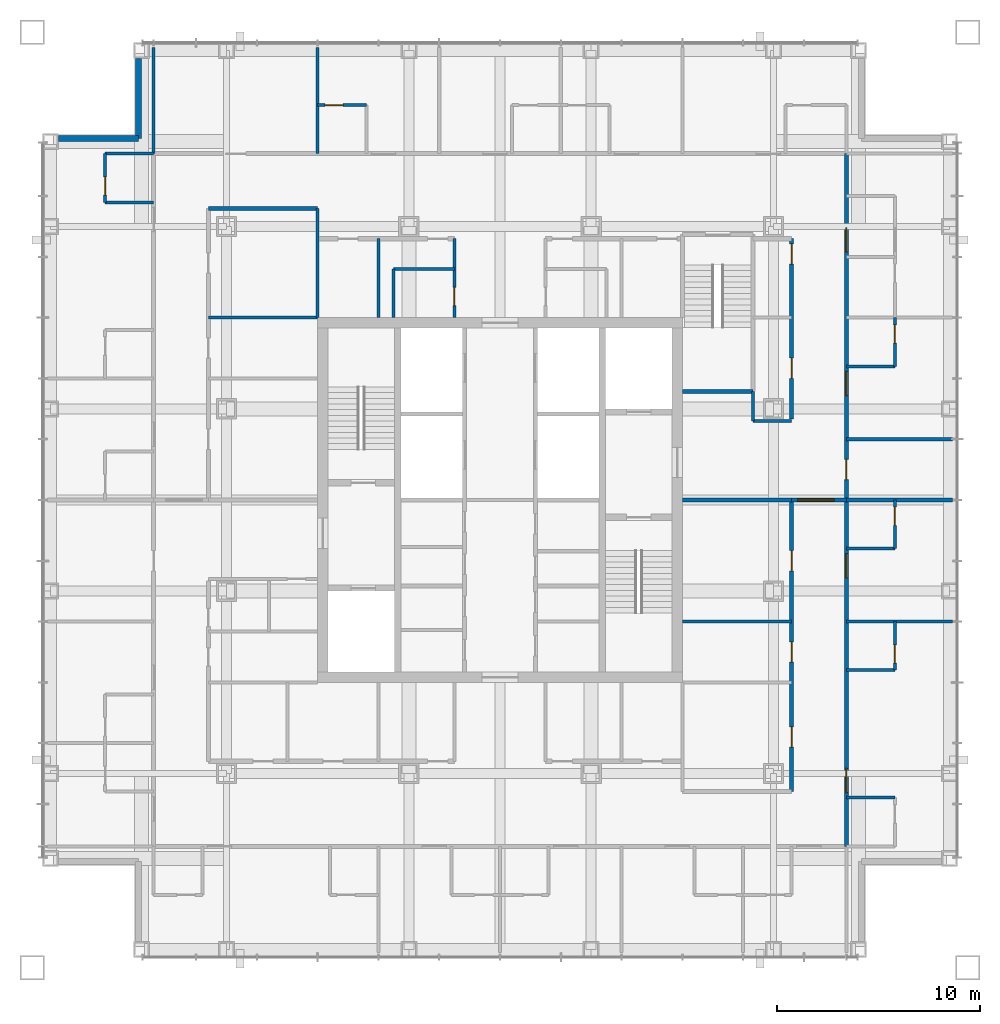
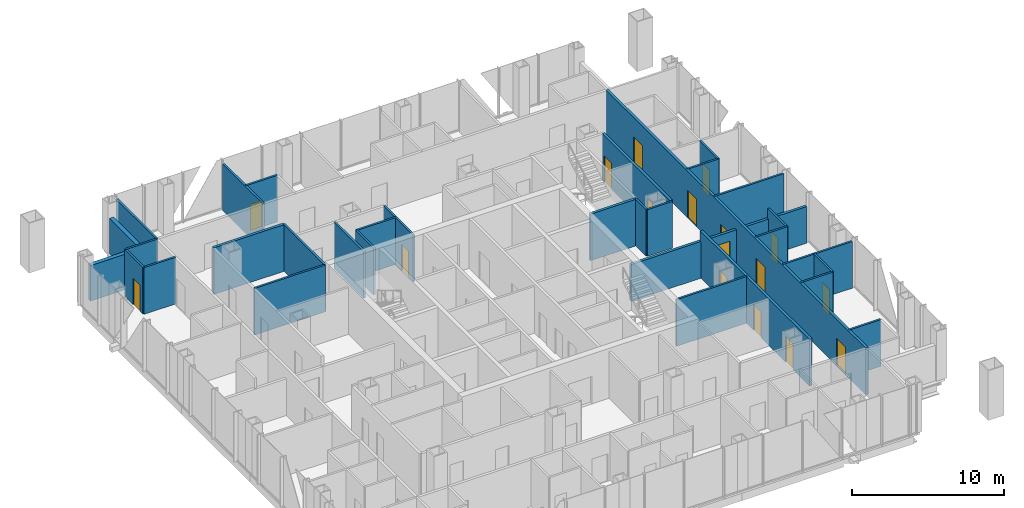
# One storey, part 15 of 18: 34 walls, 17 doors, 17 openings.
"""IFC4 building model written with IfcOpenShell, lengths in metres."""

import ifcopenshell
import ifcopenshell.guid

model = None  # the IFC model being written
_history = None  # IfcOwnerHistory: only IFC2X3 demands one
_inside = {}  # id of a spatial element -> (the spatial element, [elements in it])
_under = {}  # id of a project, library or spatial element -> (it, [spatial elements below it])
_declared = {}  # id of a project -> (the project, [libraries it declares])
_typed = {}  # id of a type object -> (the type object, [elements of that type])
_made_of = {}  # id of a material, layer set ... -> (it, [elements and type objects made of it])


def new_model(schema):
    """Start an empty IFC model of exactly this schema.

    Asked for "IFC4X3", IfcOpenShell would pick the latest addendum, in which some entities
    have other attributes; the version numbers below select the first issue.
    IFC2X3 requires an IfcOwnerHistory on every rooted entity: one is made here for all.
    """
    global model, _history
    if schema == "IFC4X3":
        model = ifcopenshell.file(schema_version=(4, 3, 0, 0))
    else:
        model = ifcopenshell.file(schema=schema)
    _inside.clear()
    _under.clear()
    _declared.clear()
    _typed.clear()
    _made_of.clear()
    _history = None
    if model.schema == "IFC2X3":
        org = make("IfcOrganization", Name="unknown")
        user = make(
            "IfcPersonAndOrganization",
            ThePerson=make("IfcPerson", FamilyName="unknown"),
            TheOrganization=org,
        )
        app = make(
            "IfcApplication",
            ApplicationDeveloper=org,
            Version="unknown",
            ApplicationFullName="unknown",
            ApplicationIdentifier="unknown",
        )
        _history = make(
            "IfcOwnerHistory",
            OwningUser=user,
            OwningApplication=app,
            ChangeAction="ADDED",
            CreationDate=0,
        )
    return model


def make(cls, **values):
    """One entity of the class cls with the attributes given. An attribute that is None is left unset."""
    return model.create_entity(
        cls, **{name: value for name, value in values.items() if value is not None}
    )


def rooted(cls, **values):
    """An entity with a GlobalId (a new one), such as an element, a storey or a relation."""
    return make(cls, GlobalId=ifcopenshell.guid.new(), OwnerHistory=_history, **values)


def si_unit(unit_type, name, prefix=None):
    """IfcSIUnit, for example si_unit("LENGTHUNIT", "METRE", prefix="MILLI")."""
    return make("IfcSIUnit", UnitType=unit_type, Prefix=prefix, Name=name)


def assignment(units):
    """IfcUnitAssignment: the units of a project."""
    return None if units is None else make("IfcUnitAssignment", Units=units)


def point(xyz):
    """IfcCartesianPoint."""
    return None if xyz is None else make("IfcCartesianPoint", Coordinates=xyz)


def direction(xyz):
    """IfcDirection."""
    return None if xyz is None else make("IfcDirection", DirectionRatios=xyz)


def frame(location, z_axis=None, x_axis=None):
    """IfcAxis2Placement3D, a coordinate frame: its origin and axes. An axis left out is left unset."""
    return make(
        "IfcAxis2Placement3D",
        Location=point(location),
        Axis=direction(z_axis),
        RefDirection=direction(x_axis),
    )


def frame_2d(location, x_axis=None):
    """IfcAxis2Placement2D, a coordinate frame in the plane: its origin and x axis."""
    return make(
        "IfcAxis2Placement2D", Location=point(location), RefDirection=direction(x_axis)
    )


def origin():
    """The frame at (0, 0, 0) with its axes left unset."""
    return frame((0.0, 0.0, 0.0))


def place(relative_to, where):
    """IfcLocalPlacement: puts the frame where relative to a parent placement (None: the world)."""
    return make(
        "IfcLocalPlacement", PlacementRelTo=relative_to, RelativePlacement=where
    )


def context(
    kind, dimensions, precision=None, world=None, true_north=None, identifier=None
):
    """IfcGeometricRepresentationContext, for example the 3D "Model" context."""
    return make(
        "IfcGeometricRepresentationContext",
        ContextIdentifier=identifier,
        ContextType=kind,
        CoordinateSpaceDimension=dimensions,
        Precision=precision,
        WorldCoordinateSystem=world,
        TrueNorth=true_north,
    )


def subcontext(parent, identifier, kind, view, scale=None):
    """IfcGeometricRepresentationSubContext, for example "Body" below "Model"."""
    return make(
        "IfcGeometricRepresentationSubContext",
        ContextIdentifier=identifier,
        ContextType=kind,
        ParentContext=parent,
        TargetScale=scale,
        TargetView=view,
    )


def project(units=None, contexts=None):
    """IfcProject with its units and contexts."""
    return rooted(
        "IfcProject",
        Name="project",
        RepresentationContexts=contexts,
        UnitsInContext=assignment(units),
    )


def spatial(cls, under=None, at=None, **own):
    """A site, building, storey or space (cls), placed at a placement, below another one or the project."""
    s = rooted(cls, ObjectPlacement=at, **own)
    if under is not None:
        _under.setdefault(under.id(), (under, []))[1].append(s)
    return s


def profile(cls, at=None, kind="AREA", **sizes):
    """A parametric profile (cls). Its sizes go by their IFC names, for example OverallWidth=200.0."""
    return make(cls, ProfileType=kind, Position=at, **sizes)


def rectangle(**sizes):
    """IfcRectangleProfileDef."""
    return profile("IfcRectangleProfileDef", **sizes)


def extrude(swept, where, along, depth):
    """IfcExtrudedAreaSolid: the profile swept, set in the frame where, extruded along a direction by depth."""
    return make(
        "IfcExtrudedAreaSolid",
        SweptArea=swept,
        Position=where,
        ExtrudedDirection=direction(along),
        Depth=depth,
    )


def shape(context_of_items, identifier, shape_type, items):
    """IfcShapeRepresentation: the items that make up one representation, for example the "Body"."""
    return make(
        "IfcShapeRepresentation",
        ContextOfItems=context_of_items,
        RepresentationIdentifier=identifier,
        RepresentationType=shape_type,
        Items=items,
    )


def material(Name=None, Category=None):
    """IfcMaterial."""
    return make("IfcMaterial", Name=Name, Category=Category)


def layer(
    of_material, thickness, ventilated=None, Name=None, Category=None, Priority=None
):
    """IfcMaterialLayer: one layer of a wall or slab, of a material (None: an air gap)."""
    return make(
        "IfcMaterialLayer",
        Material=of_material,
        LayerThickness=thickness,
        IsVentilated=ventilated,
        Name=Name,
        Category=Category,
        Priority=Priority,
    )


def layer_set(layers, Name=None):
    """IfcMaterialLayerSet."""
    return make("IfcMaterialLayerSet", MaterialLayers=layers, LayerSetName=Name)


def made_of(thing, what):
    """Note that an element or type object is made of a material, layer set ...; save() writes the relation."""
    if what is not None:
        _made_of.setdefault(what.id(), (what, []))[1].append(thing)
    return thing


def type_object(cls, material=None, **own):
    """A type object (cls), such as IfcWallType, which elements share."""
    return made_of(rooted(cls, **own), material)


def element(
    cls,
    number,
    at=None,
    inside=None,
    cuts=None,
    type_object=None,
    material=None,
    context=None,
    identifier="Body",
    shape_type=None,
    held_by="IfcProductDefinitionShape",
    body=None,
    shapes=None,
    **own,
):
    """One element of the class cls, such as IfcWall. Its Tag is "e" and its number.

    at: its placement. inside: the storey or other place that contains it. cuts: it is an
    opening in that element (IfcRelVoidsElement). A single representation is given by context,
    identifier, shape_type and body (its items); several are given by shapes. held_by: the class
    of the entity that holds the representations. save() writes the other relations.
    """
    e = rooted(cls, Tag="e%d" % number, ObjectPlacement=at, **own)
    if body is not None:
        shapes = [shape(context, identifier, shape_type, body)]
    if shapes is not None:
        e.Representation = make(held_by, Representations=shapes)
    if inside is not None:
        _inside.setdefault(inside.id(), (inside, []))[1].append(e)
    if cuts is not None:
        rooted(
            "IfcRelVoidsElement", RelatingBuildingElement=cuts, RelatedOpeningElement=e
        )
    if type_object is not None:
        _typed.setdefault(type_object.id(), (type_object, []))[1].append(e)
    return made_of(e, material)


def fill(opening, filler):
    """IfcRelFillsElement: the door or window that sits in an opening."""
    return rooted(
        "IfcRelFillsElement",
        RelatingOpeningElement=opening,
        RelatedBuildingElement=filler,
    )


def aggregate(whole, parts):
    """IfcRelAggregates: a whole, such as a stair, and the parts it consists of."""
    return rooted("IfcRelAggregates", RelatingObject=whole, RelatedObjects=parts)


def save(model, path):
    """Write the relations noted so far, then the file.

    IfcRelAggregates (storeys below a building ...), IfcRelContainedInSpatialStructure (elements
    in a storey), IfcRelDefinesByType, IfcRelAssociatesMaterial and IfcRelDeclares: one each for
    every whole, place, type object, material and project.
    """
    for whole, parts in _under.values():
        aggregate(whole, parts)
    for where, things in _inside.values():
        rooted(
            "IfcRelContainedInSpatialStructure",
            RelatedElements=things,
            RelatingStructure=where,
        )
    for kind, things in _typed.values():
        rooted("IfcRelDefinesByType", RelatedObjects=things, RelatingType=kind)
    for what, things in _made_of.values():
        rooted("IfcRelAssociatesMaterial", RelatedObjects=things, RelatingMaterial=what)
    for by, libraries in _declared.values():
        rooted("IfcRelDeclares", RelatingContext=by, RelatedDefinitions=libraries)
    model.write(path)


model = new_model("IFC4")

# Units and contexts
model_context = context("Model", 3, precision=1e-05, world=origin(), true_north=direction((0.0, 1.0)))
body_context = subcontext(model_context, "Body", "Model", "MODEL_VIEW")
ifc_project = project(units=[si_unit("LENGTHUNIT", "METRE"), si_unit("AREAUNIT", "SQUARE_METRE"), si_unit("VOLUMEUNIT", "CUBIC_METRE"), si_unit("PLANEANGLEUNIT", "RADIAN"), si_unit("MASSUNIT", "GRAM", prefix="KILO")], contexts=[model_context])

# Site, building, storey
site_placement = place(None, origin())
site = spatial("IfcSite", under=ifc_project, at=site_placement, CompositionType="ELEMENT")
building_placement = place(site_placement, origin())
building = spatial("IfcBuilding", under=site, at=building_placement, Name="Malebo Sky Hospital", CompositionType="ELEMENT")
storey_placement = place(building_placement, frame((0.0, 0.0, 225.0)))
storey = spatial("IfcBuildingStorey", under=building, at=storey_placement, Name="L54", CompositionType="ELEMENT", Elevation=225.0)

# Wall
ifc_material_1 = material(Name="Gypsum board on steel studs", Category="steel")
ifc_layer_1 = layer(ifc_material_1, 0.199951171875)
ifc_layer_set_1 = layer_set([ifc_layer_1], Name="CORRIDOR WALL 200")
wall_type_1 = type_object("IfcWallType", Name="CORRIDOR WALL 200", PredefinedType="PARTITIONING", material=ifc_layer_set_1)
wall_1_placement = place(storey_placement, frame((45.60009765625, 76.39990234375, 0.0), z_axis=(0.0, 0.0, 1.0), x_axis=(1.0, 0.0, 0.0)))
element("IfcWall", 1, at=wall_1_placement, inside=storey, type_object=wall_type_1, Name="Corridor Wall 200 NCIK", PredefinedType="PARTITIONING", context=body_context, shape_type="SweptSolid", body=[
    extrude(rectangle(XDim=5.39990234375, YDim=0.199951171875, at=frame_2d((2.699951171875, 0.0))), origin(), (0.0, 0.0, 1.0), 3.75),
])

# Wall, openings, doors
wall_2_placement = place(storey_placement, frame((77.10009765625, 79.10009765625, 0.0), z_axis=(0.0, 0.0, 1.0), x_axis=(0.0, -1.0, 0.0)))
wall_2 = element("IfcWall", 2, at=wall_2_placement, inside=storey, type_object=wall_type_1, Name="Corridor Wall 200 ECO", PredefinedType="PARTITIONING", context=body_context, shape_type="SweptSolid", body=[
    extrude(rectangle(XDim=34.2001953125, YDim=0.199951171875, at=frame_2d((17.10009765625, 0.0))), origin(), (0.0, 0.0, 1.0), 3.75),
])
opening_1_placement = place(wall_2_placement, frame((3.64990234375, 0.0, 0.0)))
opening_1 = element("IfcOpeningElement", 3, at=opening_1_placement, cuts=wall_2, Name="Opening D18", PredefinedType="OPENING", context=body_context, shape_type="SweptSolid", body=[
    extrude(rectangle(XDim=1.199951171875, YDim=2.199951171875, at=frame_2d((0.60009765625, 1.10009765625))), frame((0.0, 0.10986328125, 0.0), z_axis=(0.0, -1.0, 0.0), x_axis=(1.0, 0.0, 0.0)), (0.0, 0.0, 1.0), 0.219970703125),
])
opening_2_placement = place(wall_2_placement, frame((10.75, 0.0, 0.0)))
opening_2 = element("IfcOpeningElement", 4, at=opening_2_placement, cuts=wall_2, Name="Opening D01", PredefinedType="OPENING", context=body_context, shape_type="SweptSolid", body=[
    extrude(rectangle(XDim=1.199951171875, YDim=2.199951171875, at=frame_2d((0.60009765625, 1.10009765625))), frame((0.0, 0.10986328125, 0.0), z_axis=(0.0, -1.0, 0.0), x_axis=(1.0, 0.0, 0.0)), (0.0, 0.0, 1.0), 0.219970703125),
])
opening_3_placement = place(wall_2_placement, frame((15.10009765625, 0.0, 0.0)))
opening_3 = element("IfcOpeningElement", 5, at=opening_3_placement, cuts=wall_2, Name="Opening D03", PredefinedType="OPENING", context=body_context, shape_type="SweptSolid", body=[
    extrude(rectangle(XDim=1.0, YDim=2.10009765625, at=frame_2d((0.5, 1.050048828125))), frame((0.0, 0.10986328125, 0.0), z_axis=(0.0, -1.0, 0.0), x_axis=(1.0, 0.0, 0.0)), (0.0, 0.0, 1.0), 0.219970703125),
])
opening_4_placement = place(wall_2_placement, frame((19.75, 0.0, 0.0)))
opening_4 = element("IfcOpeningElement", 6, at=opening_4_placement, cuts=wall_2, Name="Opening D01", PredefinedType="OPENING", context=body_context, shape_type="SweptSolid", body=[
    extrude(rectangle(XDim=1.199951171875, YDim=2.199951171875, at=frame_2d((0.60009765625, 1.10009765625))), frame((0.0, 0.10986328125, 0.0), z_axis=(0.0, -1.0, 0.0), x_axis=(1.0, 0.0, 0.0)), (0.0, 0.0, 1.0), 0.219970703125),
])
opening_5_placement = place(wall_2_placement, frame((30.35009765625, 0.0, 0.0)))
opening_5 = element("IfcOpeningElement", 7, at=opening_5_placement, cuts=wall_2, Name="Opening D01", PredefinedType="OPENING", context=body_context, shape_type="SweptSolid", body=[
    extrude(rectangle(XDim=1.199951171875, YDim=2.199951171875, at=frame_2d((0.60009765625, 1.10009765625))), frame((0.0, 0.10986328125, 0.0), z_axis=(0.0, -1.0, 0.0), x_axis=(1.0, 0.0, 0.0)), (0.0, 0.0, 1.0), 0.219970703125),
])
ifc_material_2 = material(Name="Hardwood-faced door leaf in steel frame", Category="steel")
door_type_1 = type_object("IfcDoorType", Name="ANTEROOM DOOR 1200", OperationType="SINGLE_SWING_LEFT", PredefinedType="DOOR", material=ifc_material_2)
door_1_placement = place(opening_1_placement, origin())
door_1 = element("IfcDoor", 8, at=door_1_placement, inside=storey, type_object=door_type_1, Name="Anteroom door", OperationType="SINGLE_SWING_RIGHT", OverallHeight=2.199951171875, OverallWidth=1.199951171875, PredefinedType="DOOR", context=body_context, shape_type="SweptSolid", body=[
    extrude(rectangle(XDim=1.199951171875, YDim=2.199951171875, at=frame_2d((0.60009765625, 1.10009765625))), frame((0.0, 0.02490234375, 0.0), z_axis=(0.0, -1.0, 0.0), x_axis=(1.0, 0.0, 0.0)), (0.0, 0.0, 1.0), 0.050048828125),
])
fill(opening_1, door_1)
door_type_2 = type_object("IfcDoorType", Name="BED DOOR 1200", OperationType="SINGLE_SWING_LEFT", PredefinedType="DOOR", material=ifc_material_2)
door_2_placement = place(opening_2_placement, origin())
door_2 = element("IfcDoor", 9, at=door_2_placement, inside=storey, type_object=door_type_2, Name="Single bed room door", OperationType="SINGLE_SWING_LEFT", OverallHeight=2.199951171875, OverallWidth=1.199951171875, PredefinedType="DOOR", context=body_context, shape_type="SweptSolid", body=[
    extrude(rectangle(XDim=1.199951171875, YDim=2.199951171875, at=frame_2d((0.60009765625, 1.10009765625))), frame((0.0, 0.02490234375, 0.0), z_axis=(0.0, -1.0, 0.0), x_axis=(1.0, 0.0, 0.0)), (0.0, 0.0, 1.0), 0.050048828125),
])
fill(opening_2, door_2)
door_3_placement = place(opening_4_placement, origin())
door_3 = element("IfcDoor", 10, at=door_3_placement, inside=storey, type_object=door_type_2, Name="Parent room door", OperationType="SINGLE_SWING_LEFT", OverallHeight=2.199951171875, OverallWidth=1.199951171875, PredefinedType="DOOR", context=body_context, shape_type="SweptSolid", body=[
    extrude(rectangle(XDim=1.199951171875, YDim=2.199951171875, at=frame_2d((0.60009765625, 1.10009765625))), frame((0.0, 0.02490234375, 0.0), z_axis=(0.0, -1.0, 0.0), x_axis=(1.0, 0.0, 0.0)), (0.0, 0.0, 1.0), 0.050048828125),
])
fill(opening_4, door_3)
door_4_placement = place(opening_5_placement, origin())
door_4 = element("IfcDoor", 11, at=door_4_placement, inside=storey, type_object=door_type_2, Name="Four-bed bay door", OperationType="SINGLE_SWING_RIGHT", OverallHeight=2.199951171875, OverallWidth=1.199951171875, PredefinedType="DOOR", context=body_context, shape_type="SweptSolid", body=[
    extrude(rectangle(XDim=1.199951171875, YDim=2.199951171875, at=frame_2d((0.60009765625, 1.10009765625))), frame((0.0, 0.02490234375, 0.0), z_axis=(0.0, -1.0, 0.0), x_axis=(1.0, 0.0, 0.0)), (0.0, 0.0, 1.0), 0.050048828125),
])
fill(opening_5, door_4)
door_type_3 = type_object("IfcDoorType", Name="ROOM DOOR 1000", OperationType="SINGLE_SWING_LEFT", PredefinedType="DOOR", material=ifc_material_2)
door_5_placement = place(opening_3_placement, origin())
door_5 = element("IfcDoor", 12, at=door_5_placement, inside=storey, type_object=door_type_3, Name="Quiet room door", OperationType="SINGLE_SWING_RIGHT", OverallHeight=2.10009765625, OverallWidth=1.0, PredefinedType="DOOR", context=body_context, shape_type="SweptSolid", body=[
    extrude(rectangle(XDim=1.0, YDim=2.10009765625, at=frame_2d((0.5, 1.050048828125))), frame((0.0, 0.02490234375, 0.0), z_axis=(0.0, -1.0, 0.0), x_axis=(1.0, 0.0, 0.0)), (0.0, 0.0, 1.0), 0.050048828125),
])
fill(opening_3, door_5)

wall_3_placement = place(storey_placement, frame((74.39990234375, 74.89990234375, 0.0), z_axis=(0.0, 0.0, 1.0), x_axis=(0.0, -1.0, 0.0)))
wall_3 = element("IfcWall", 13, at=wall_3_placement, inside=storey, type_object=wall_type_1, Name="Corridor Wall 200 ECI1", PredefinedType="PARTITIONING", context=body_context, shape_type="SweptSolid", body=[
    extrude(rectangle(XDim=8.89990234375, YDim=0.199951171875, at=frame_2d((4.449951171875, 0.0))), origin(), (0.0, 0.0, 1.0), 3.75),
])
opening_6_placement = place(wall_3_placement, frame((0.25, 0.0, 0.0)))
opening_6 = element("IfcOpeningElement", 14, at=opening_6_placement, cuts=wall_3, Name="Opening D03", PredefinedType="OPENING", context=body_context, shape_type="SweptSolid", body=[
    extrude(rectangle(XDim=1.0, YDim=2.10009765625, at=frame_2d((0.5, 1.050048828125))), frame((0.0, 0.10986328125, 0.0), z_axis=(0.0, -1.0, 0.0), x_axis=(1.0, 0.0, 0.0)), (0.0, 0.0, 1.0), 0.219970703125),
])
opening_7_placement = place(wall_3_placement, frame((5.89990234375, 0.0, 0.0)))
opening_7 = element("IfcOpeningElement", 15, at=opening_7_placement, cuts=wall_3, Name="Opening D03", PredefinedType="OPENING", context=body_context, shape_type="SweptSolid", body=[
    extrude(rectangle(XDim=1.0, YDim=2.10009765625, at=frame_2d((0.5, 1.050048828125))), frame((0.0, 0.10986328125, 0.0), z_axis=(0.0, -1.0, 0.0), x_axis=(1.0, 0.0, 0.0)), (0.0, 0.0, 1.0), 0.219970703125),
])
door_6_placement = place(opening_6_placement, origin())
door_6 = element("IfcDoor", 16, at=door_6_placement, inside=storey, type_object=door_type_3, Name="Ward pantry door", OperationType="SINGLE_SWING_LEFT", OverallHeight=2.10009765625, OverallWidth=1.0, PredefinedType="DOOR", context=body_context, shape_type="SweptSolid", body=[
    extrude(rectangle(XDim=1.0, YDim=2.10009765625, at=frame_2d((0.5, 1.050048828125))), frame((0.0, 0.02490234375, 0.0), z_axis=(0.0, -1.0, 0.0), x_axis=(1.0, 0.0, 0.0)), (0.0, 0.0, 1.0), 0.050048828125),
])
fill(opening_6, door_6)
door_7_placement = place(opening_7_placement, origin())
door_7 = element("IfcDoor", 17, at=door_7_placement, inside=storey, type_object=door_type_3, Name="Consulting room door", OperationType="SINGLE_SWING_LEFT", OverallHeight=2.10009765625, OverallWidth=1.0, PredefinedType="DOOR", context=body_context, shape_type="SweptSolid", body=[
    extrude(rectangle(XDim=1.0, YDim=2.10009765625, at=frame_2d((0.5, 1.050048828125))), frame((0.0, 0.02490234375, 0.0), z_axis=(0.0, -1.0, 0.0), x_axis=(1.0, 0.0, 0.0)), (0.0, 0.0, 1.0), 0.050048828125),
])
fill(opening_7, door_7)

wall_4_placement = place(storey_placement, frame((74.39990234375, 62.0, 0.0), z_axis=(0.0, 0.0, 1.0), x_axis=(0.0, -1.0, 0.0)))
wall_4 = element("IfcWall", 18, at=wall_4_placement, inside=storey, type_object=wall_type_1, Name="Corridor Wall 200 ECI2", PredefinedType="PARTITIONING", context=body_context, shape_type="SweptSolid", body=[
    extrude(rectangle(XDim=14.39990234375, YDim=0.199951171875, at=frame_2d((7.199951171875, 0.0))), origin(), (0.0, 0.0, 1.0), 3.75),
])
opening_8_placement = place(wall_4_placement, frame((2.5, 0.0, 0.0)))
opening_8 = element("IfcOpeningElement", 19, at=opening_8_placement, cuts=wall_4, Name="Opening D03", PredefinedType="OPENING", context=body_context, shape_type="SweptSolid", body=[
    extrude(rectangle(XDim=1.0, YDim=2.10009765625, at=frame_2d((0.5, 1.050048828125))), frame((0.0, 0.10986328125, 0.0), z_axis=(0.0, -1.0, 0.0), x_axis=(1.0, 0.0, 0.0)), (0.0, 0.0, 1.0), 0.219970703125),
])
opening_9_placement = place(wall_4_placement, frame((7.0, 0.0, 0.0)))
opening_9 = element("IfcOpeningElement", 20, at=opening_9_placement, cuts=wall_4, Name="Opening D03", PredefinedType="OPENING", context=body_context, shape_type="SweptSolid", body=[
    extrude(rectangle(XDim=1.0, YDim=2.10009765625, at=frame_2d((0.5, 1.050048828125))), frame((0.0, 0.10986328125, 0.0), z_axis=(0.0, -1.0, 0.0), x_axis=(1.0, 0.0, 0.0)), (0.0, 0.0, 1.0), 0.219970703125),
])
opening_10_placement = place(wall_4_placement, frame((11.199951171875, 0.0, 0.0)))
opening_10 = element("IfcOpeningElement", 21, at=opening_10_placement, cuts=wall_4, Name="Opening D03", PredefinedType="OPENING", context=body_context, shape_type="SweptSolid", body=[
    extrude(rectangle(XDim=1.0, YDim=2.10009765625, at=frame_2d((0.5, 1.050048828125))), frame((0.0, 0.10986328125, 0.0), z_axis=(0.0, -1.0, 0.0), x_axis=(1.0, 0.0, 0.0)), (0.0, 0.0, 1.0), 0.219970703125),
])
door_8_placement = place(opening_8_placement, origin())
door_8 = element("IfcDoor", 22, at=door_8_placement, inside=storey, type_object=door_type_3, Name="Staff rest room door", OperationType="SINGLE_SWING_LEFT", OverallHeight=2.10009765625, OverallWidth=1.0, PredefinedType="DOOR", context=body_context, shape_type="SweptSolid", body=[
    extrude(rectangle(XDim=1.0, YDim=2.10009765625, at=frame_2d((0.5, 1.050048828125))), frame((0.0, 0.02490234375, 0.0), z_axis=(0.0, -1.0, 0.0), x_axis=(1.0, 0.0, 0.0)), (0.0, 0.0, 1.0), 0.050048828125),
])
fill(opening_8, door_8)
door_9_placement = place(opening_9_placement, origin())
door_9 = element("IfcDoor", 23, at=door_9_placement, inside=storey, type_object=door_type_3, Name="Dirty utility room door", OperationType="SINGLE_SWING_LEFT", OverallHeight=2.10009765625, OverallWidth=1.0, PredefinedType="DOOR", context=body_context, shape_type="SweptSolid", body=[
    extrude(rectangle(XDim=1.0, YDim=2.10009765625, at=frame_2d((0.5, 1.050048828125))), frame((0.0, 0.02490234375, 0.0), z_axis=(0.0, -1.0, 0.0), x_axis=(1.0, 0.0, 0.0)), (0.0, 0.0, 1.0), 0.050048828125),
])
fill(opening_9, door_9)
door_10_placement = place(opening_10_placement, origin())
door_10 = element("IfcDoor", 24, at=door_10_placement, inside=storey, type_object=door_type_3, Name="Surgical examination room door", OperationType="SINGLE_SWING_RIGHT", OverallHeight=2.10009765625, OverallWidth=1.0, PredefinedType="DOOR", context=body_context, shape_type="SweptSolid", body=[
    extrude(rectangle(XDim=1.0, YDim=2.10009765625, at=frame_2d((0.5, 1.050048828125))), frame((0.0, 0.02490234375, 0.0), z_axis=(0.0, -1.0, 0.0), x_axis=(1.0, 0.0, 0.0)), (0.0, 0.0, 1.0), 0.050048828125),
])
fill(opening_10, door_10)

# Walls
ifc_material_3 = material(Name="Anodised aluminium rainscreen on steel framing", Category="steel")
ifc_layer_2 = layer(ifc_material_3, 0.300048828125)
ifc_layer_set_2 = layer_set([ifc_layer_2], Name="NOTCH RAINSCREEN WALL 300")
wall_type_2 = type_object("IfcWallType", Name="NOTCH RAINSCREEN WALL 300", PredefinedType="ELEMENTEDWALL", material=ifc_layer_set_2)
for number, where, z_axis, x_axis, name in (
    (25, (38.199951171875, 79.85009765625, 0.0), (0.0, 0.0, 1.0), (1.0, 0.0, 0.0), "Notch rainscreen wall W1 L54"),
    (26, (42.14990234375, 79.85009765625, 0.0), (0.0, 0.0, 1.0), (0.0, 1.0, 0.0), "Notch rainscreen wall W2 L54"),
):
    element("IfcWall", number, at=place(storey_placement, frame(where, z_axis=z_axis, x_axis=x_axis)), inside=storey, type_object=wall_type_2, Name=name, PredefinedType="ELEMENTEDWALL", context=body_context, shape_type="SweptSolid", body=[
        extrude(rectangle(XDim=3.949951171875, YDim=0.300048828125, at=frame_2d((1.97509765625, 0.0))), origin(), (0.0, 0.0, 1.0), 2.85009765625),
    ])
ifc_layer_3 = layer(ifc_material_1, 0.14990234375)
ifc_layer_set_3 = layer_set([ifc_layer_3], Name="PARTITION 150")
wall_type_3 = type_object("IfcWallType", Name="PARTITION 150", PredefinedType="PARTITIONING", material=ifc_layer_set_3)
for number, where, z_axis, x_axis, name in (
    (27, (51.0, 79.10009765625, 0.0), (0.0, 0.0, 1.0), (0.0, 1.0, 0.0), "Partition 150 NP-9.0"),
    (28, (42.89990234375, 79.10009765625, 0.0), (0.0, 0.0, 1.0), (0.0, 1.0, 0.0), "Partition 150 NP0"),
):
    element("IfcWall", number, at=place(storey_placement, frame(where, z_axis=z_axis, x_axis=x_axis)), inside=storey, type_object=wall_type_3, Name=name, PredefinedType="PARTITIONING", context=body_context, shape_type="SweptSolid", body=[
        extrude(rectangle(XDim=5.25, YDim=0.14990234375, at=frame_2d((2.625, 0.0))), origin(), (0.0, 0.0, 1.0), 3.75),
    ])

# Wall, opening, door
wall_5_placement = place(storey_placement, frame((51.0, 81.5, 0.0), z_axis=(0.0, 0.0, 1.0), x_axis=(1.0, 0.0, 0.0)))
wall_5 = element("IfcWall", 29, at=wall_5_placement, inside=storey, type_object=wall_type_3, Name="Partition 150 NE1F", PredefinedType="PARTITIONING", context=body_context, shape_type="SweptSolid", body=[
    extrude(rectangle(XDim=2.39990234375, YDim=0.14990234375, at=frame_2d((1.199951171875, 0.0))), origin(), (0.0, 0.0, 1.0), 3.75),
])
opening_11_placement = place(wall_5_placement, frame((0.35009765625, 0.0, 0.0)))
opening_11 = element("IfcOpeningElement", 30, at=opening_11_placement, cuts=wall_5, Name="Opening D02", PredefinedType="OPENING", context=body_context, shape_type="SweptSolid", body=[
    extrude(rectangle(XDim=0.89990234375, YDim=2.10009765625, at=frame_2d((0.449951171875, 1.050048828125))), frame((0.0, 0.0849609375, 0.0), z_axis=(0.0, -1.0, 0.0), x_axis=(1.0, 0.0, 0.0)), (0.0, 0.0, 1.0), 0.169921875),
])
door_type_4 = type_object("IfcDoorType", Name="EN-SUITE DOOR 900", OperationType="SINGLE_SWING_LEFT", PredefinedType="DOOR", material=ifc_material_2)
door_11_placement = place(opening_11_placement, origin())
door_11 = element("IfcDoor", 31, at=door_11_placement, inside=storey, type_object=door_type_4, Name="En-suite door", OperationType="SINGLE_SWING_LEFT", OverallHeight=2.10009765625, OverallWidth=0.89990234375, PredefinedType="DOOR", context=body_context, shape_type="SweptSolid", body=[
    extrude(rectangle(XDim=0.89990234375, YDim=2.10009765625, at=frame_2d((0.449951171875, 1.050048828125))), frame((0.0, 0.02490234375, 0.0), z_axis=(0.0, -1.0, 0.0), x_axis=(1.0, 0.0, 0.0)), (0.0, 0.0, 1.0), 0.050048828125),
])
fill(opening_11, door_11)

# Wall
wall_6_placement = place(storey_placement, frame((51.0, 71.0, 0.0), z_axis=(0.0, 0.0, 1.0), x_axis=(0.0, 1.0, 0.0)))
element("IfcWall", 32, at=wall_6_placement, inside=storey, type_object=wall_type_3, Name="Partition 150 NSP0", PredefinedType="PARTITIONING", context=body_context, shape_type="SweptSolid", body=[
    extrude(rectangle(XDim=5.39990234375, YDim=0.14990234375, at=frame_2d((2.699951171875, 0.0))), origin(), (0.0, 0.0, 1.0), 3.75),
])

# Wall, opening, door
wall_7_placement = place(storey_placement, frame((57.75, 71.0, 0.0), z_axis=(0.0, 0.0, 1.0), x_axis=(0.0, 1.0, 0.0)))
wall_7 = element("IfcWall", 33, at=wall_7_placement, inside=storey, type_object=wall_type_3, Name="Partition 150 NSPA", PredefinedType="PARTITIONING", context=body_context, shape_type="SweptSolid", body=[
    extrude(rectangle(XDim=3.89990234375, YDim=0.14990234375, at=frame_2d((1.949951171875, 0.0))), origin(), (0.0, 0.0, 1.0), 3.75),
])
opening_12_placement = place(wall_7_placement, frame((0.60009765625, 0.0, 0.0)))
opening_12 = element("IfcOpeningElement", 34, at=opening_12_placement, cuts=wall_7, Name="Opening D04", PredefinedType="OPENING", context=body_context, shape_type="SweptSolid", body=[
    extrude(rectangle(XDim=0.89990234375, YDim=2.10009765625, at=frame_2d((0.449951171875, 1.050048828125))), frame((0.0, 0.0849609375, 0.0), z_axis=(0.0, -1.0, 0.0), x_axis=(1.0, 0.0, 0.0)), (0.0, 0.0, 1.0), 0.169921875),
])
door_type_5 = type_object("IfcDoorType", Name="ROOM DOOR 900", OperationType="SINGLE_SWING_LEFT", PredefinedType="DOOR", material=ifc_material_2)
door_12_placement = place(opening_12_placement, origin())
door_12 = element("IfcDoor", 35, at=door_12_placement, inside=storey, type_object=door_type_5, Name="Staff WC door", OperationType="SINGLE_SWING_LEFT", OverallHeight=2.10009765625, OverallWidth=0.89990234375, PredefinedType="DOOR", context=body_context, shape_type="SweptSolid", body=[
    extrude(rectangle(XDim=0.89990234375, YDim=2.10009765625, at=frame_2d((0.449951171875, 1.050048828125))), frame((0.0, 0.02490234375, 0.0), z_axis=(0.0, -1.0, 0.0), x_axis=(1.0, 0.0, 0.0)), (0.0, 0.0, 1.0), 0.050048828125),
])
fill(opening_12, door_12)

# Walls
wall_8_placement = place(storey_placement, frame((54.0, 71.0, 0.0), z_axis=(0.0, 0.0, 1.0), x_axis=(0.0, 1.0, 0.0)))
element("IfcWall", 36, at=wall_8_placement, inside=storey, type_object=wall_type_3, Name="Partition 150 NSP-6.0", PredefinedType="PARTITIONING", context=body_context, shape_type="SweptSolid", body=[
    extrude(rectangle(XDim=3.89990234375, YDim=0.14990234375, at=frame_2d((1.949951171875, 0.0))), origin(), (0.0, 0.0, 1.0), 3.75),
])
wall_9_placement = place(storey_placement, frame((54.75, 73.39990234375, 0.0), z_axis=(0.0, 0.0, 1.0), x_axis=(1.0, 0.0, 0.0)))
element("IfcWall", 37, at=wall_9_placement, inside=storey, type_object=wall_type_3, Name="Partition 150 NSX1", PredefinedType="PARTITIONING", context=body_context, shape_type="SweptSolid", body=[
    extrude(rectangle(XDim=3.0, YDim=0.14990234375, at=frame_2d((1.5, 0.0))), origin(), (0.0, 0.0, 1.0), 3.75),
])
wall_10_placement = place(storey_placement, frame((54.75, 71.0, 0.0), z_axis=(0.0, 0.0, 1.0), x_axis=(0.0, 1.0, 0.0)))
element("IfcWall", 38, at=wall_10_placement, inside=storey, type_object=wall_type_3, Name="Partition 150 NSY1", PredefinedType="PARTITIONING", context=body_context, shape_type="SweptSolid", body=[
    extrude(rectangle(XDim=2.39990234375, YDim=0.14990234375, at=frame_2d((1.199951171875, 0.0))), origin(), (0.0, 0.0, 1.0), 3.75),
])

# Wall, opening, door
wall_11_placement = place(storey_placement, frame((40.5, 76.699951171875, 0.0), z_axis=(0.0, 0.0, 1.0), x_axis=(0.0, 1.0, 0.0)))
wall_11 = element("IfcWall", 39, at=wall_11_placement, inside=storey, type_object=wall_type_3, Name="Partition 150 WE4F", PredefinedType="PARTITIONING", context=body_context, shape_type="SweptSolid", body=[
    extrude(rectangle(XDim=2.400146484375, YDim=0.14990234375, at=frame_2d((1.2001953125, 0.0))), origin(), (0.0, 0.0, 1.0), 3.75),
])
opening_13_placement = place(wall_11_placement, frame((0.35009765625, 0.0, 0.0)))
opening_13 = element("IfcOpeningElement", 40, at=opening_13_placement, cuts=wall_11, Name="Opening D02", PredefinedType="OPENING", context=body_context, shape_type="SweptSolid", body=[
    extrude(rectangle(XDim=0.89990234375, YDim=2.10009765625, at=frame_2d((0.449951171875, 1.050048828125))), frame((0.0, 0.0849609375, 0.0), z_axis=(0.0, -1.0, 0.0), x_axis=(1.0, 0.0, 0.0)), (0.0, 0.0, 1.0), 0.169921875),
])
door_13_placement = place(opening_13_placement, origin())
door_13 = element("IfcDoor", 41, at=door_13_placement, inside=storey, type_object=door_type_4, Name="En-suite door", OperationType="SINGLE_SWING_LEFT", OverallHeight=2.10009765625, OverallWidth=0.89990234375, PredefinedType="DOOR", context=body_context, shape_type="SweptSolid", body=[
    extrude(rectangle(XDim=0.89990234375, YDim=2.10009765625, at=frame_2d((0.449951171875, 1.050048828125))), frame((0.0, 0.02490234375, 0.0), z_axis=(0.0, -1.0, 0.0), x_axis=(1.0, 0.0, 0.0)), (0.0, 0.0, 1.0), 0.050048828125),
])
fill(opening_13, door_13)

# Walls
for number, where, z_axis, x_axis, name in (
    (42, (42.89990234375, 76.699951171875, 0.0), (0.0, 0.0, 1.0), (-1.0, 0.0, 0.0), "Partition 150 WE4S"),
    (43, (42.89990234375, 79.10009765625, 0.0), (0.0, 0.0, 1.0), (-1.0, 0.0, 0.0), "Partition 150 WEZ"),
):
    element("IfcWall", number, at=place(storey_placement, frame(where, z_axis=z_axis, x_axis=x_axis)), inside=storey, type_object=wall_type_3, Name=name, PredefinedType="PARTITIONING", context=body_context, shape_type="SweptSolid", body=[
        extrude(rectangle(XDim=2.39990234375, YDim=0.14990234375, at=frame_2d((1.199951171875, 0.0))), origin(), (0.0, 0.0, 1.0), 3.75),
    ])
wall_12_placement = place(storey_placement, frame((51.0, 71.0, 0.0), z_axis=(0.0, 0.0, 1.0), x_axis=(-1.0, 0.0, 0.0)))
element("IfcWall", 44, at=wall_12_placement, inside=storey, type_object=wall_type_3, Name="Partition 150 WSP+9.0", PredefinedType="PARTITIONING", context=body_context, shape_type="SweptSolid", body=[
    extrude(rectangle(XDim=5.39990234375, YDim=0.14990234375, at=frame_2d((2.699951171875, 0.0))), origin(), (0.0, 0.0, 1.0), 3.75),
])
for number, where, z_axis, x_axis, name in (
    (45, (77.10009765625, 65.0, 0.0), (0.0, 0.0, 1.0), (1.0, 0.0, 0.0), "Partition 150 EP-3.0"),
    (46, (77.10009765625, 56.0, 0.0), (0.0, 0.0, 1.0), (1.0, 0.0, 0.0), "Partition 150 EP+6.0"),
):
    element("IfcWall", number, at=place(storey_placement, frame(where, z_axis=z_axis, x_axis=x_axis)), inside=storey, type_object=wall_type_3, Name=name, PredefinedType="PARTITIONING", context=body_context, shape_type="SweptSolid", body=[
        extrude(rectangle(XDim=5.25, YDim=0.14990234375, at=frame_2d((2.625, 0.0))), origin(), (0.0, 0.0, 1.0), 3.75),
    ])

# Wall, opening, door
wall_13_placement = place(storey_placement, frame((79.5, 71.0, 0.0), z_axis=(0.0, 0.0, 1.0), x_axis=(0.0, -1.0, 0.0)))
wall_13 = element("IfcWall", 47, at=wall_13_placement, inside=storey, type_object=wall_type_3, Name="Partition 150 EE1F", PredefinedType="PARTITIONING", context=body_context, shape_type="SweptSolid", body=[
    extrude(rectangle(XDim=2.39990234375, YDim=0.14990234375, at=frame_2d((1.199951171875, 0.0))), origin(), (0.0, 0.0, 1.0), 3.75),
])
opening_14_placement = place(wall_13_placement, frame((0.35009765625, 0.0, 0.0)))
opening_14 = element("IfcOpeningElement", 48, at=opening_14_placement, cuts=wall_13, Name="Opening D02", PredefinedType="OPENING", context=body_context, shape_type="SweptSolid", body=[
    extrude(rectangle(XDim=0.89990234375, YDim=2.10009765625, at=frame_2d((0.449951171875, 1.050048828125))), frame((0.0, 0.0849609375, 0.0), z_axis=(0.0, -1.0, 0.0), x_axis=(1.0, 0.0, 0.0)), (0.0, 0.0, 1.0), 0.169921875),
])
door_14_placement = place(opening_14_placement, origin())
door_14 = element("IfcDoor", 49, at=door_14_placement, inside=storey, type_object=door_type_4, Name="En-suite door", OperationType="SINGLE_SWING_LEFT", OverallHeight=2.10009765625, OverallWidth=0.89990234375, PredefinedType="DOOR", context=body_context, shape_type="SweptSolid", body=[
    extrude(rectangle(XDim=0.89990234375, YDim=2.10009765625, at=frame_2d((0.449951171875, 1.050048828125))), frame((0.0, 0.02490234375, 0.0), z_axis=(0.0, -1.0, 0.0), x_axis=(1.0, 0.0, 0.0)), (0.0, 0.0, 1.0), 0.050048828125),
])
fill(opening_14, door_14)

# Wall
wall_14_placement = place(storey_placement, frame((77.10009765625, 68.60009765625, 0.0), z_axis=(0.0, 0.0, 1.0), x_axis=(1.0, 0.0, 0.0)))
element("IfcWall", 50, at=wall_14_placement, inside=storey, type_object=wall_type_3, Name="Partition 150 EE1S", PredefinedType="PARTITIONING", context=body_context, shape_type="SweptSolid", body=[
    extrude(rectangle(XDim=2.39990234375, YDim=0.14990234375, at=frame_2d((1.199951171875, 0.0))), origin(), (0.0, 0.0, 1.0), 3.75),
])

# Wall, opening, door
wall_15_placement = place(storey_placement, frame((79.5, 62.0, 0.0), z_axis=(0.0, 0.0, 1.0), x_axis=(0.0, -1.0, 0.0)))
wall_15 = element("IfcWall", 51, at=wall_15_placement, inside=storey, type_object=wall_type_3, Name="Partition 150 EE3F", PredefinedType="PARTITIONING", context=body_context, shape_type="SweptSolid", body=[
    extrude(rectangle(XDim=2.39990234375, YDim=0.14990234375, at=frame_2d((1.199951171875, 0.0))), origin(), (0.0, 0.0, 1.0), 3.75),
])
opening_15_placement = place(wall_15_placement, frame((0.35009765625, 0.0, 0.0)))
opening_15 = element("IfcOpeningElement", 52, at=opening_15_placement, cuts=wall_15, Name="Opening D02", PredefinedType="OPENING", context=body_context, shape_type="SweptSolid", body=[
    extrude(rectangle(XDim=0.89990234375, YDim=2.10009765625, at=frame_2d((0.449951171875, 1.050048828125))), frame((0.0, 0.0849609375, 0.0), z_axis=(0.0, -1.0, 0.0), x_axis=(1.0, 0.0, 0.0)), (0.0, 0.0, 1.0), 0.169921875),
])
door_15_placement = place(opening_15_placement, origin())
door_15 = element("IfcDoor", 53, at=door_15_placement, inside=storey, type_object=door_type_4, Name="En-suite door", OperationType="SINGLE_SWING_LEFT", OverallHeight=2.10009765625, OverallWidth=0.89990234375, PredefinedType="DOOR", context=body_context, shape_type="SweptSolid", body=[
    extrude(rectangle(XDim=0.89990234375, YDim=2.10009765625, at=frame_2d((0.449951171875, 1.050048828125))), frame((0.0, 0.02490234375, 0.0), z_axis=(0.0, -1.0, 0.0), x_axis=(1.0, 0.0, 0.0)), (0.0, 0.0, 1.0), 0.050048828125),
])
fill(opening_15, door_15)

# Walls
for number, where, z_axis, x_axis, name in (
    (54, (77.10009765625, 59.60009765625, 0.0), (0.0, 0.0, 1.0), (1.0, 0.0, 0.0), "Partition 150 EE3S"),
    (55, (77.10009765625, 47.300048828125, 0.0), (0.0, 0.0, 1.0), (1.0, 0.0, 0.0), "Partition 150 EE4S"),
):
    element("IfcWall", number, at=place(storey_placement, frame(where, z_axis=z_axis, x_axis=x_axis)), inside=storey, type_object=wall_type_3, Name=name, PredefinedType="PARTITIONING", context=body_context, shape_type="SweptSolid", body=[
        extrude(rectangle(XDim=2.39990234375, YDim=0.14990234375, at=frame_2d((1.199951171875, 0.0))), origin(), (0.0, 0.0, 1.0), 3.75),
    ])

# Wall, opening, door
wall_16_placement = place(storey_placement, frame((79.5, 56.0, 0.0), z_axis=(0.0, 0.0, 1.0), x_axis=(0.0, -1.0, 0.0)))
wall_16 = element("IfcWall", 56, at=wall_16_placement, inside=storey, type_object=wall_type_3, Name="Partition 150 EG4F", PredefinedType="PARTITIONING", context=body_context, shape_type="SweptSolid", body=[
    extrude(rectangle(XDim=2.39990234375, YDim=0.14990234375, at=frame_2d((1.199951171875, 0.0))), origin(), (0.0, 0.0, 1.0), 3.75),
])
opening_16_placement = place(wall_16_placement, frame((1.14990234375, 0.0, 0.0)))
opening_16 = element("IfcOpeningElement", 57, at=opening_16_placement, cuts=wall_16, Name="Opening D02", PredefinedType="OPENING", context=body_context, shape_type="SweptSolid", body=[
    extrude(rectangle(XDim=0.89990234375, YDim=2.10009765625, at=frame_2d((0.449951171875, 1.050048828125))), frame((0.0, 0.0849609375, 0.0), z_axis=(0.0, -1.0, 0.0), x_axis=(1.0, 0.0, 0.0)), (0.0, 0.0, 1.0), 0.169921875),
])
door_16_placement = place(opening_16_placement, origin())
door_16 = element("IfcDoor", 58, at=door_16_placement, inside=storey, type_object=door_type_4, Name="En-suite door", OperationType="SINGLE_SWING_RIGHT", OverallHeight=2.10009765625, OverallWidth=0.89990234375, PredefinedType="DOOR", context=body_context, shape_type="SweptSolid", body=[
    extrude(rectangle(XDim=0.89990234375, YDim=2.10009765625, at=frame_2d((0.449951171875, 1.050048828125))), frame((0.0, 0.02490234375, 0.0), z_axis=(0.0, -1.0, 0.0), x_axis=(1.0, 0.0, 0.0)), (0.0, 0.0, 1.0), 0.050048828125),
])
fill(opening_16, door_16)

# Walls
wall_17_placement = place(storey_placement, frame((77.10009765625, 53.60009765625, 0.0), z_axis=(0.0, 0.0, 1.0), x_axis=(1.0, 0.0, 0.0)))
element("IfcWall", 59, at=wall_17_placement, inside=storey, type_object=wall_type_3, Name="Partition 150 EG4S", PredefinedType="PARTITIONING", context=body_context, shape_type="SweptSolid", body=[
    extrude(rectangle(XDim=2.39990234375, YDim=0.14990234375, at=frame_2d((1.199951171875, 0.0))), origin(), (0.0, 0.0, 1.0), 3.75),
])
wall_18_placement = place(storey_placement, frame((72.5, 65.89990234375, 0.0), z_axis=(0.0, 0.0, 1.0), x_axis=(1.0, 0.0, 0.0)))
element("IfcWall", 60, at=wall_18_placement, inside=storey, type_object=wall_type_3, Name="Partition 150 ESPA", PredefinedType="PARTITIONING", context=body_context, shape_type="SweptSolid", body=[
    extrude(rectangle(XDim=1.89990234375, YDim=0.14990234375, at=frame_2d((0.949951171875, 0.0))), origin(), (0.0, 0.0, 1.0), 3.75),
])
wall_19_placement = place(storey_placement, frame((69.0, 56.0, 0.0), z_axis=(0.0, 0.0, 1.0), x_axis=(1.0, 0.0, 0.0)))
element("IfcWall", 61, at=wall_19_placement, inside=storey, type_object=wall_type_3, Name="Partition 150 ESP+6.0", PredefinedType="PARTITIONING", context=body_context, shape_type="SweptSolid", body=[
    extrude(rectangle(XDim=5.39990234375, YDim=0.14990234375, at=frame_2d((2.699951171875, 0.0))), origin(), (0.0, 0.0, 1.0), 3.75),
])
wall_20_placement = place(storey_placement, frame((72.5, 65.89990234375, 0.0), z_axis=(0.0, 0.0, 1.0), x_axis=(0.0, 1.0, 0.0)))
element("IfcWall", 62, at=wall_20_placement, inside=storey, type_object=wall_type_3, Name="Partition 150 ST3C", PredefinedType="PARTITIONING", context=body_context, shape_type="SweptSolid", body=[
    extrude(rectangle(XDim=1.4501953125, YDim=0.14990234375, at=frame_2d((0.72509765625, 0.0))), origin(), (0.0, 0.0, 1.0), 3.75),
])
ifc_material_4 = material(Name="Concrete blockwork", Category="masonry")
ifc_layer_4 = layer(ifc_material_4, 0.199951171875)
ifc_layer_set_4 = layer_set([ifc_layer_4], Name="SMOKE BARRIER WALL 200")
wall_type_4 = type_object("IfcWallType", Name="SMOKE BARRIER WALL 200", PredefinedType="SOLIDWALL", material=ifc_layer_set_4)
wall_21_placement = place(storey_placement, frame((77.10009765625, 62.0, 0.0), z_axis=(0.0, 0.0, 1.0), x_axis=(1.0, 0.0, 0.0)))
element("IfcWall", 63, at=wall_21_placement, inside=storey, type_object=wall_type_4, Name="Smoke Barrier Wall 200 EP+0.0", PredefinedType="SOLIDWALL", context=body_context, shape_type="SweptSolid", body=[
    extrude(rectangle(XDim=5.25, YDim=0.199951171875, at=frame_2d((2.625, 0.0))), origin(), (0.0, 0.0, 1.0), 2.949951171875),
])
wall_22_placement = place(storey_placement, frame((69.0, 62.0, 0.0), z_axis=(0.0, 0.0, 1.0), x_axis=(1.0, 0.0, 0.0)))
element("IfcWall", 64, at=wall_22_placement, inside=storey, type_object=wall_type_4, Name="Smoke Barrier Wall 200 ESPB", PredefinedType="SOLIDWALL", context=body_context, shape_type="SweptSolid", body=[
    extrude(rectangle(XDim=5.39990234375, YDim=0.199951171875, at=frame_2d((2.699951171875, 0.0))), origin(), (0.0, 0.0, 1.0), 2.949951171875),
])

# Wall, opening, door
wall_23_placement = place(storey_placement, frame((74.39990234375, 62.0, 0.0), z_axis=(0.0, 0.0, 1.0), x_axis=(1.0, 0.0, 0.0)))
wall_23 = element("IfcWall", 65, at=wall_23_placement, inside=storey, type_object=wall_type_4, Name="Smoke Barrier Wall 200 ESB", PredefinedType="SOLIDWALL", context=body_context, shape_type="SweptSolid", body=[
    extrude(rectangle(XDim=2.7001953125, YDim=0.199951171875, at=frame_2d((1.35009765625, 0.0))), origin(), (0.0, 0.0, 1.0), 2.949951171875),
])
opening_17_placement = place(wall_23_placement, frame((0.300048828125, 0.0, 0.0)))
opening_17 = element("IfcOpeningElement", 66, at=opening_17_placement, cuts=wall_23, Name="Opening D05", PredefinedType="OPENING", context=body_context, shape_type="SweptSolid", body=[
    extrude(rectangle(XDim=1.800048828125, YDim=2.199951171875, at=frame_2d((0.89990234375, 1.10009765625))), frame((0.0, 0.10986328125, 0.0), z_axis=(0.0, -1.0, 0.0), x_axis=(1.0, 0.0, 0.0)), (0.0, 0.0, 1.0), 0.219970703125),
])
door_type_6 = type_object("IfcDoorType", Name="SMOKE DOOR PAIR 1800", OperationType="DOUBLE_DOOR_DOUBLE_SWING", PredefinedType="DOOR", material=ifc_material_2)
door_17_placement = place(opening_17_placement, origin())
door_17 = element("IfcDoor", 67, at=door_17_placement, inside=storey, type_object=door_type_6, Name="Smoke compartment door pair", OperationType="DOUBLE_DOOR_DOUBLE_SWING", OverallHeight=2.199951171875, OverallWidth=1.800048828125, PredefinedType="DOOR", context=body_context, shape_type="SweptSolid", body=[
    extrude(rectangle(XDim=1.800048828125, YDim=2.199951171875, at=frame_2d((0.89990234375, 1.10009765625))), frame((0.0, 0.02490234375, 0.0), z_axis=(0.0, -1.0, 0.0), x_axis=(1.0, 0.0, 0.0)), (0.0, 0.0, 1.0), 0.050048828125),
])
fill(opening_17, door_17)

# Wall
ifc_material_5 = material(Name="Concrete C40/50", Category="concrete")
ifc_layer_5 = layer(ifc_material_5, 0.199951171875)
ifc_layer_set_5 = layer_set([ifc_layer_5], Name="STAIR ENCLOSURE WALL 200")
wall_type_5 = type_object("IfcWallType", Name="STAIR ENCLOSURE WALL 200", PredefinedType="SOLIDWALL", material=ifc_layer_set_5)
wall_24_placement = place(storey_placement, frame((69.0, 67.35009765625, 0.0), z_axis=(0.0, 0.0, 1.0), x_axis=(1.0, 0.0, 0.0)))
element("IfcWall", 68, at=wall_24_placement, inside=storey, type_object=wall_type_5, Name="Stair Enclosure Wall 200 ST3S", PredefinedType="SOLIDWALL", context=body_context, shape_type="SweptSolid", body=[
    extrude(rectangle(XDim=3.5, YDim=0.199951171875, at=frame_2d((1.75, 0.0))), origin(), (0.0, 0.0, 1.0), 3.75),
])

save(model, "model.ifc")
